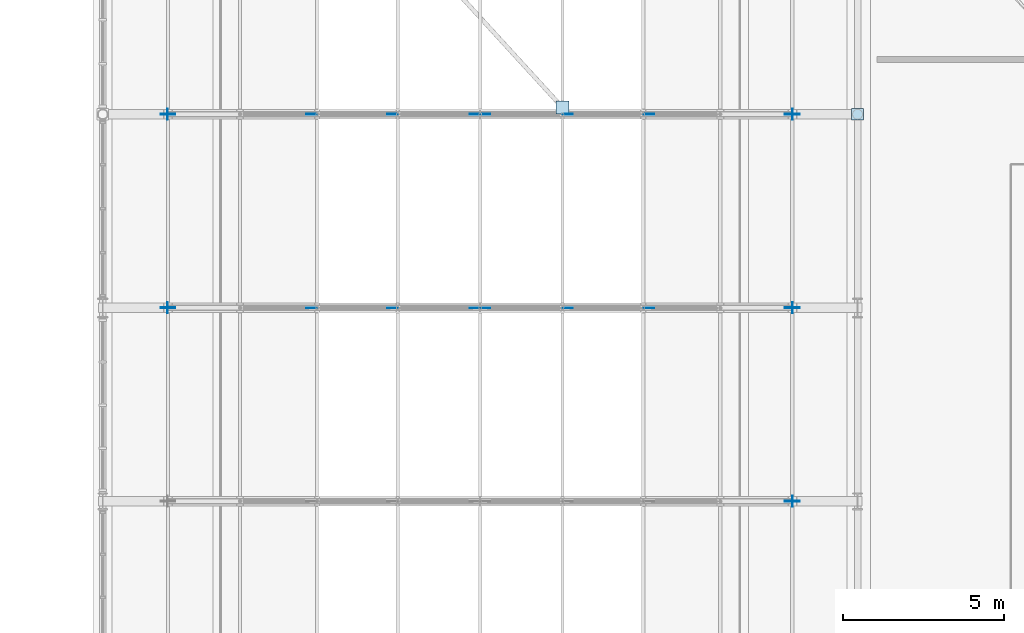
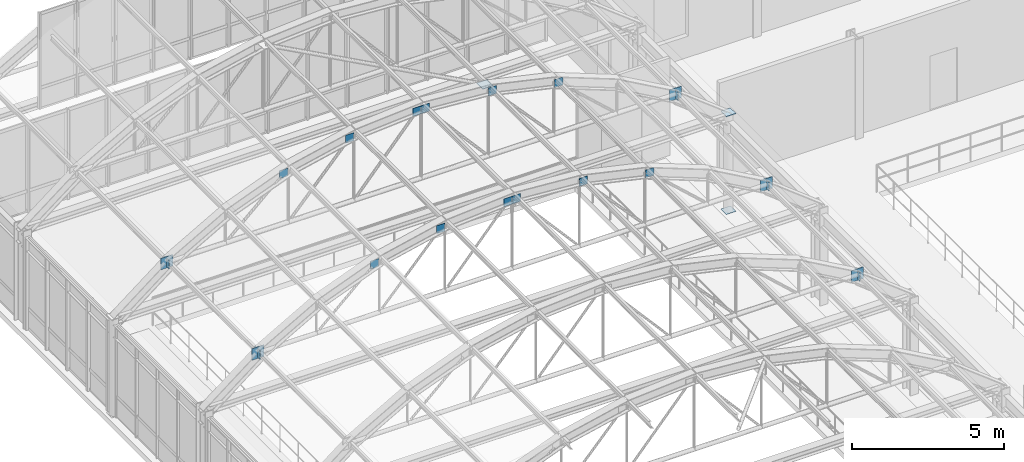
# One storey, part 116 of 148: 25 plates.
"""IFC4 building model written with IfcOpenShell, lengths in metres."""

from ifc_helpers import new_model, si_unit, direction, frame, origin, origin_2d, place, context, subcontext, project, spatial, rectangle, extrude, material, layer, layer_set, type_object, element, save


model = new_model("IFC4")

# Units and contexts
model_context = context("Model", 3, precision=1e-05, world=origin(), true_north=direction((0.0, 1.0)))
body_context = subcontext(model_context, "Body", "Model", "MODEL_VIEW")
ifc_project = project(units=[si_unit("LENGTHUNIT", "METRE"), si_unit("AREAUNIT", "SQUARE_METRE"), si_unit("VOLUMEUNIT", "CUBIC_METRE"), si_unit("PLANEANGLEUNIT", "RADIAN"), si_unit("MASSUNIT", "GRAM", prefix="KILO"), si_unit("THERMODYNAMICTEMPERATUREUNIT", "KELVIN"), si_unit("POWERUNIT", "WATT")], contexts=[model_context])

# Site, building, storey
site_placement = place(None, origin())
site = spatial("IfcSite", under=ifc_project, at=site_placement, CompositionType="ELEMENT")
building_placement = place(site_placement, origin())
building = spatial("IfcBuilding", under=site, at=building_placement, Name="Solvatero Civic Police Headquarters", CompositionType="ELEMENT")
storey_placement = place(building_placement, frame((0.0, 0.0, 5.10009765625)))
storey = spatial("IfcBuildingStorey", under=building, at=storey_placement, Name="L01", CompositionType="ELEMENT", Elevation=5.10009765625)

# Plates
ifc_material = material(Name="Steel S355", Category="steel")
ifc_layer_1 = layer(ifc_material, 0.02001953125)
ifc_layer_set_1 = layer_set([ifc_layer_1], Name="Steel S355")
plate_type_1 = type_object("IfcPlateType", Name="PLT-CAP-20", PredefinedType="SHEET", material=ifc_layer_set_1)
for number, where, z_axis, x_axis, name in (
    (1, (122.199951171875, 34.800048828125, 3.919921875), (0.0, 0.0, 1.0), (1.0, 0.0, 0.0), "Hollow Section End Cap Plate 0057"),
    (2, (122.199951171875, 34.800048828125, -0.02001953125), (0.0, 0.0, 1.0), (1.0, 0.0, 0.0), "Hollow Section End Cap Plate 0058"),
):
    element("IfcPlate", number, at=place(storey_placement, frame(where, z_axis=z_axis, x_axis=x_axis)), inside=storey, type_object=plate_type_1, Name=name, PredefinedType="SHEET", context=body_context, shape_type="SweptSolid", body=[
        extrude(rectangle(XDim=0.364013671875, YDim=0.364013671875, at=origin_2d()), origin(), (0.0, 0.0, 1.0), 0.02001953125),
    ])
for number, where, z_axis, x_axis, name in (
    (3, (120.1875, 22.800048828125, 5.2216796875), (0.0, 0.0, 1.0), (1.0, 0.0, 0.0), "Hollow Section End Cap Plate 0158"),
    (4, (100.8125, 28.800048828125, 5.2216796875), (0.0, 0.0, 1.0), (1.0, 0.0, 0.0), "Hollow Section End Cap Plate 0159"),
    (5, (120.1875, 28.800048828125, 5.2216796875), (0.0, 0.0, 1.0), (1.0, 0.0, 0.0), "Hollow Section End Cap Plate 0160"),
    (6, (100.8125, 34.800048828125, 5.2216796875), (0.0, 0.0, 1.0), (1.0, 0.0, 0.0), "Hollow Section End Cap Plate 0161"),
    (7, (120.1875, 34.800048828125, 5.2216796875), (0.0, 0.0, 1.0), (1.0, 0.0, 0.0), "Hollow Section End Cap Plate 0162"),
):
    element("IfcPlate", number, at=place(storey_placement, frame(where, z_axis=z_axis, x_axis=x_axis)), inside=storey, type_object=plate_type_1, Name=name, PredefinedType="SHEET", context=body_context, shape_type="SweptSolid", body=[
        extrude(rectangle(XDim=0.02001953125, YDim=0.340087890625, at=origin_2d()), origin(), (0.0, 0.0, 1.0), 0.340087890625),
    ])
ifc_layer_2 = layer(ifc_material, 0.02001953125)
ifc_layer_set_2 = layer_set([ifc_layer_2], Name="Steel S355")
plate_type_2 = type_object("IfcPlateType", Name="PLT-GUS-16", PredefinedType="SHEET", material=ifc_layer_set_2)
for number, where, z_axis, x_axis, name in (
    (8, (105.267333984375, 28.800048828125, 7.24951171875), (0.0, 0.0, 1.0), (1.0, 0.0, 0.0), "VLT1 Vault Diagonal Gusset F5.2"),
    (9, (107.783203125, 28.800048828125, 7.79345703125), (0.0, 0.0, 1.0), (1.0, 0.0, 0.0), "VLT1 Vault Diagonal Gusset F5.3"),
    (10, (110.34228515625, 28.800048828125, 7.97802734375), (0.0, 0.0, 1.0), (1.0, 0.0, 0.0), "VLT1 Vault Diagonal Gusset F5.4"),
    (11, (110.65771484375, 28.800048828125, 7.97802734375), (0.0, 0.0, 1.0), (1.0, 0.0, 0.0), "VLT1 Vault Diagonal Gusset F5.5"),
    (12, (113.216796875, 28.800048828125, 7.79345703125), (0.0, 0.0, 1.0), (1.0, 0.0, 0.0), "VLT1 Vault Diagonal Gusset F5.6"),
    (13, (115.732666015625, 28.800048828125, 7.24951171875), (0.0, 0.0, 1.0), (1.0, 0.0, 0.0), "VLT1 Vault Diagonal Gusset F5.7"),
    (14, (105.267333984375, 34.800048828125, 7.24951171875), (0.0, 0.0, 1.0), (1.0, 0.0, 0.0), "VLT1 Vault Diagonal Gusset F6.2"),
    (15, (107.783203125, 34.800048828125, 7.79345703125), (0.0, 0.0, 1.0), (1.0, 0.0, 0.0), "VLT1 Vault Diagonal Gusset F6.3"),
    (16, (110.34228515625, 34.800048828125, 7.97802734375), (0.0, 0.0, 1.0), (1.0, 0.0, 0.0), "VLT1 Vault Diagonal Gusset F6.4"),
    (17, (110.65771484375, 34.800048828125, 7.97802734375), (0.0, 0.0, 1.0), (1.0, 0.0, 0.0), "VLT1 Vault Diagonal Gusset F6.5"),
    (18, (113.216796875, 34.800048828125, 7.79345703125), (0.0, 0.0, 1.0), (1.0, 0.0, 0.0), "VLT1 Vault Diagonal Gusset F6.6"),
    (19, (115.732666015625, 34.800048828125, 7.24951171875), (0.0, 0.0, 1.0), (1.0, 0.0, 0.0), "VLT1 Vault Diagonal Gusset F6.7"),
):
    element("IfcPlate", number, at=place(storey_placement, frame(where, z_axis=z_axis, x_axis=x_axis)), inside=storey, type_object=plate_type_2, Name=name, PredefinedType="SHEET", context=body_context, shape_type="SweptSolid", body=[
        extrude(rectangle(XDim=0.320068359375, YDim=0.02001953125, at=origin_2d()), origin(), (0.0, 0.0, 1.0), 0.320068359375),
    ])
plate_placement = place(storey_placement, frame((113.05517578125, 35.008056640625, 8.120849609375), z_axis=(0.0, 0.0, 1.0), x_axis=(1.0, 0.0, 0.0)))
element("IfcPlate", 20, at=plate_placement, inside=storey, type_object=plate_type_2, Name="VLT1 Wind Brace Gusset A B6", PredefinedType="SHEET", context=body_context, shape_type="SweptSolid", body=[
    extrude(rectangle(XDim=0.39990234375, YDim=0.39990234375, at=origin_2d()), origin(), (0.0, 0.0, 1.0), 0.02001953125),
])
ifc_layer_3 = layer(ifc_material, 0.02490234375)
ifc_layer_set_3 = layer_set([ifc_layer_3], Name="Steel S355")
plate_type_3 = type_object("IfcPlateType", Name="PLT-GUS-20", PredefinedType="SHEET", material=ifc_layer_set_3)
for number, where, z_axis, x_axis, name in (
    (21, (120.177490234375, 22.800048828125, 5.16162109375), (0.0, 0.0, 1.0), (1.0, 0.0, 0.0), "VLT1 Haunch Gusset E F4"),
    (22, (100.822509765625, 28.800048828125, 5.16162109375), (0.0, 0.0, 1.0), (1.0, 0.0, 0.0), "VLT1 Haunch Gusset W F5"),
    (23, (120.177490234375, 28.800048828125, 5.16162109375), (0.0, 0.0, 1.0), (1.0, 0.0, 0.0), "VLT1 Haunch Gusset E F5"),
    (24, (100.822509765625, 34.800048828125, 5.16162109375), (0.0, 0.0, 1.0), (1.0, 0.0, 0.0), "VLT1 Haunch Gusset W F6"),
    (25, (120.177490234375, 34.800048828125, 5.16162109375), (0.0, 0.0, 1.0), (1.0, 0.0, 0.0), "VLT1 Haunch Gusset E F6"),
):
    element("IfcPlate", number, at=place(storey_placement, frame(where, z_axis=z_axis, x_axis=x_axis)), inside=storey, type_object=plate_type_3, Name=name, PredefinedType="SHEET", context=body_context, shape_type="SweptSolid", body=[
        extrude(rectangle(XDim=0.4599609375, YDim=0.02490234375, at=origin_2d()), origin(), (0.0, 0.0, 1.0), 0.4599609375),
    ])

save(model, "model.ifc")
